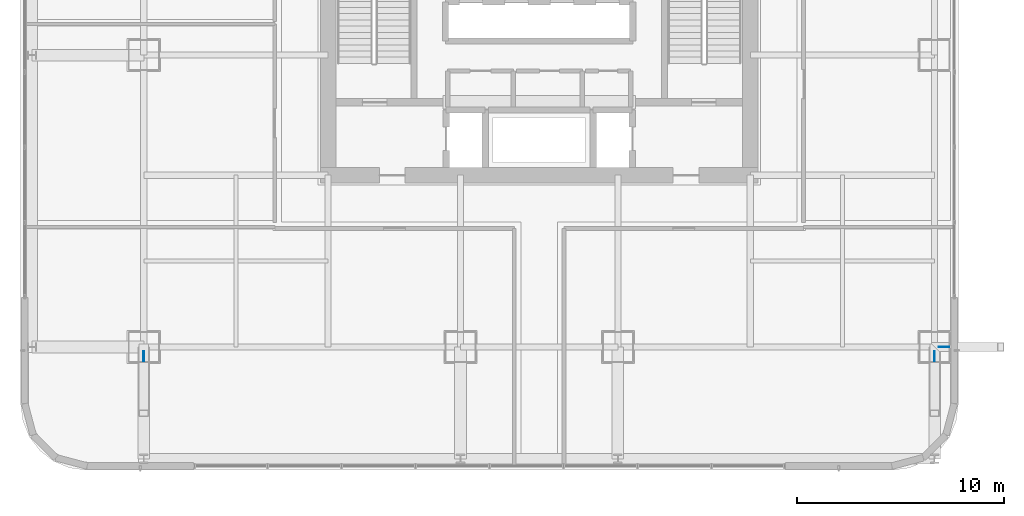
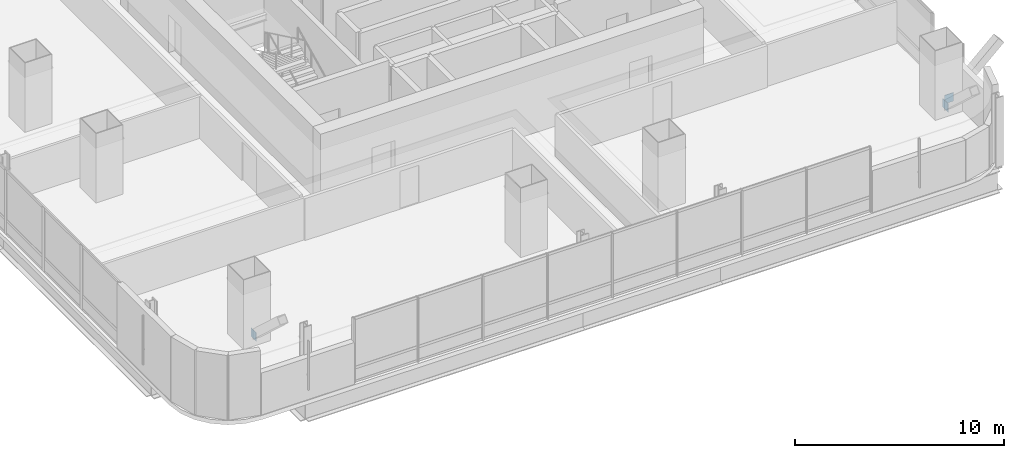
# One storey, part 27 of 45: 3 plates.
"""IFC4 building model written with IfcOpenShell, lengths in metres."""

import ifcopenshell
import ifcopenshell.guid

model = None  # the IFC model being written
_history = None  # IfcOwnerHistory: only IFC2X3 demands one
_inside = {}  # id of a spatial element -> (the spatial element, [elements in it])
_under = {}  # id of a project, library or spatial element -> (it, [spatial elements below it])
_declared = {}  # id of a project -> (the project, [libraries it declares])
_typed = {}  # id of a type object -> (the type object, [elements of that type])
_made_of = {}  # id of a material, layer set ... -> (it, [elements and type objects made of it])


def new_model(schema):
    """Start an empty IFC model of exactly this schema.

    Asked for "IFC4X3", IfcOpenShell would pick the latest addendum, in which some entities
    have other attributes; the version numbers below select the first issue.
    IFC2X3 requires an IfcOwnerHistory on every rooted entity: one is made here for all.
    """
    global model, _history
    if schema == "IFC4X3":
        model = ifcopenshell.file(schema_version=(4, 3, 0, 0))
    else:
        model = ifcopenshell.file(schema=schema)
    _inside.clear()
    _under.clear()
    _declared.clear()
    _typed.clear()
    _made_of.clear()
    _history = None
    if model.schema == "IFC2X3":
        org = make("IfcOrganization", Name="unknown")
        user = make(
            "IfcPersonAndOrganization",
            ThePerson=make("IfcPerson", FamilyName="unknown"),
            TheOrganization=org,
        )
        app = make(
            "IfcApplication",
            ApplicationDeveloper=org,
            Version="unknown",
            ApplicationFullName="unknown",
            ApplicationIdentifier="unknown",
        )
        _history = make(
            "IfcOwnerHistory",
            OwningUser=user,
            OwningApplication=app,
            ChangeAction="ADDED",
            CreationDate=0,
        )
    return model


def make(cls, **values):
    """One entity of the class cls with the attributes given. An attribute that is None is left unset."""
    return model.create_entity(
        cls, **{name: value for name, value in values.items() if value is not None}
    )


def rooted(cls, **values):
    """An entity with a GlobalId (a new one), such as an element, a storey or a relation."""
    return make(cls, GlobalId=ifcopenshell.guid.new(), OwnerHistory=_history, **values)


def si_unit(unit_type, name, prefix=None):
    """IfcSIUnit, for example si_unit("LENGTHUNIT", "METRE", prefix="MILLI")."""
    return make("IfcSIUnit", UnitType=unit_type, Prefix=prefix, Name=name)


def assignment(units):
    """IfcUnitAssignment: the units of a project."""
    return None if units is None else make("IfcUnitAssignment", Units=units)


def point(xyz):
    """IfcCartesianPoint."""
    return None if xyz is None else make("IfcCartesianPoint", Coordinates=xyz)


def direction(xyz):
    """IfcDirection."""
    return None if xyz is None else make("IfcDirection", DirectionRatios=xyz)


def frame(location, z_axis=None, x_axis=None):
    """IfcAxis2Placement3D, a coordinate frame: its origin and axes. An axis left out is left unset."""
    return make(
        "IfcAxis2Placement3D",
        Location=point(location),
        Axis=direction(z_axis),
        RefDirection=direction(x_axis),
    )


def frame_2d(location, x_axis=None):
    """IfcAxis2Placement2D, a coordinate frame in the plane: its origin and x axis."""
    return make(
        "IfcAxis2Placement2D", Location=point(location), RefDirection=direction(x_axis)
    )


def origin():
    """The frame at (0, 0, 0) with its axes left unset."""
    return frame((0.0, 0.0, 0.0))


def origin_2d():
    """The frame at (0, 0) in the plane with its x axis left unset."""
    return frame_2d((0.0, 0.0))


def place(relative_to, where):
    """IfcLocalPlacement: puts the frame where relative to a parent placement (None: the world)."""
    return make(
        "IfcLocalPlacement", PlacementRelTo=relative_to, RelativePlacement=where
    )


def context(
    kind, dimensions, precision=None, world=None, true_north=None, identifier=None
):
    """IfcGeometricRepresentationContext, for example the 3D "Model" context."""
    return make(
        "IfcGeometricRepresentationContext",
        ContextIdentifier=identifier,
        ContextType=kind,
        CoordinateSpaceDimension=dimensions,
        Precision=precision,
        WorldCoordinateSystem=world,
        TrueNorth=true_north,
    )


def subcontext(parent, identifier, kind, view, scale=None):
    """IfcGeometricRepresentationSubContext, for example "Body" below "Model"."""
    return make(
        "IfcGeometricRepresentationSubContext",
        ContextIdentifier=identifier,
        ContextType=kind,
        ParentContext=parent,
        TargetScale=scale,
        TargetView=view,
    )


def project(units=None, contexts=None):
    """IfcProject with its units and contexts."""
    return rooted(
        "IfcProject",
        Name="project",
        RepresentationContexts=contexts,
        UnitsInContext=assignment(units),
    )


def spatial(cls, under=None, at=None, **own):
    """A site, building, storey or space (cls), placed at a placement, below another one or the project."""
    s = rooted(cls, ObjectPlacement=at, **own)
    if under is not None:
        _under.setdefault(under.id(), (under, []))[1].append(s)
    return s


def profile(cls, at=None, kind="AREA", **sizes):
    """A parametric profile (cls). Its sizes go by their IFC names, for example OverallWidth=200.0."""
    return make(cls, ProfileType=kind, Position=at, **sizes)


def rectangle(**sizes):
    """IfcRectangleProfileDef."""
    return profile("IfcRectangleProfileDef", **sizes)


def extrude(swept, where, along, depth):
    """IfcExtrudedAreaSolid: the profile swept, set in the frame where, extruded along a direction by depth."""
    return make(
        "IfcExtrudedAreaSolid",
        SweptArea=swept,
        Position=where,
        ExtrudedDirection=direction(along),
        Depth=depth,
    )


def shape(context_of_items, identifier, shape_type, items):
    """IfcShapeRepresentation: the items that make up one representation, for example the "Body"."""
    return make(
        "IfcShapeRepresentation",
        ContextOfItems=context_of_items,
        RepresentationIdentifier=identifier,
        RepresentationType=shape_type,
        Items=items,
    )


def material(Name=None, Category=None):
    """IfcMaterial."""
    return make("IfcMaterial", Name=Name, Category=Category)


def layer(
    of_material, thickness, ventilated=None, Name=None, Category=None, Priority=None
):
    """IfcMaterialLayer: one layer of a wall or slab, of a material (None: an air gap)."""
    return make(
        "IfcMaterialLayer",
        Material=of_material,
        LayerThickness=thickness,
        IsVentilated=ventilated,
        Name=Name,
        Category=Category,
        Priority=Priority,
    )


def layer_set(layers, Name=None):
    """IfcMaterialLayerSet."""
    return make("IfcMaterialLayerSet", MaterialLayers=layers, LayerSetName=Name)


def made_of(thing, what):
    """Note that an element or type object is made of a material, layer set ...; save() writes the relation."""
    if what is not None:
        _made_of.setdefault(what.id(), (what, []))[1].append(thing)
    return thing


def type_object(cls, material=None, **own):
    """A type object (cls), such as IfcWallType, which elements share."""
    return made_of(rooted(cls, **own), material)


def element(
    cls,
    number,
    at=None,
    inside=None,
    cuts=None,
    type_object=None,
    material=None,
    context=None,
    identifier="Body",
    shape_type=None,
    held_by="IfcProductDefinitionShape",
    body=None,
    shapes=None,
    **own,
):
    """One element of the class cls, such as IfcWall. Its Tag is "e" and its number.

    at: its placement. inside: the storey or other place that contains it. cuts: it is an
    opening in that element (IfcRelVoidsElement). A single representation is given by context,
    identifier, shape_type and body (its items); several are given by shapes. held_by: the class
    of the entity that holds the representations. save() writes the other relations.
    """
    e = rooted(cls, Tag="e%d" % number, ObjectPlacement=at, **own)
    if body is not None:
        shapes = [shape(context, identifier, shape_type, body)]
    if shapes is not None:
        e.Representation = make(held_by, Representations=shapes)
    if inside is not None:
        _inside.setdefault(inside.id(), (inside, []))[1].append(e)
    if cuts is not None:
        rooted(
            "IfcRelVoidsElement", RelatingBuildingElement=cuts, RelatedOpeningElement=e
        )
    if type_object is not None:
        _typed.setdefault(type_object.id(), (type_object, []))[1].append(e)
    return made_of(e, material)


def aggregate(whole, parts):
    """IfcRelAggregates: a whole, such as a stair, and the parts it consists of."""
    return rooted("IfcRelAggregates", RelatingObject=whole, RelatedObjects=parts)


def save(model, path):
    """Write the relations noted so far, then the file.

    IfcRelAggregates (storeys below a building ...), IfcRelContainedInSpatialStructure (elements
    in a storey), IfcRelDefinesByType, IfcRelAssociatesMaterial and IfcRelDeclares: one each for
    every whole, place, type object, material and project.
    """
    for whole, parts in _under.values():
        aggregate(whole, parts)
    for where, things in _inside.values():
        rooted(
            "IfcRelContainedInSpatialStructure",
            RelatedElements=things,
            RelatingStructure=where,
        )
    for kind, things in _typed.values():
        rooted("IfcRelDefinesByType", RelatedObjects=things, RelatingType=kind)
    for what, things in _made_of.values():
        rooted("IfcRelAssociatesMaterial", RelatedObjects=things, RelatingMaterial=what)
    for by, libraries in _declared.values():
        rooted("IfcRelDeclares", RelatingContext=by, RelatedDefinitions=libraries)
    model.write(path)


model = new_model("IFC4")

# Units and contexts
model_context = context("Model", 3, precision=1e-05, world=origin(), true_north=direction((0.0, 1.0)))
body_context = subcontext(model_context, "Body", "Model", "MODEL_VIEW")
ifc_project = project(units=[si_unit("LENGTHUNIT", "METRE"), si_unit("AREAUNIT", "SQUARE_METRE"), si_unit("VOLUMEUNIT", "CUBIC_METRE"), si_unit("PLANEANGLEUNIT", "RADIAN"), si_unit("MASSUNIT", "GRAM", prefix="KILO")], contexts=[model_context])

# Site, building, storey
site_placement = place(None, origin())
site = spatial("IfcSite", under=ifc_project, at=site_placement, CompositionType="ELEMENT")
building_placement = place(site_placement, origin())
building = spatial("IfcBuilding", under=site, at=building_placement, Name="Punatoya Terracotta Tower", CompositionType="ELEMENT")
storey_placement = place(building_placement, frame((0.0, 0.0, 56.550048828125)))
storey = spatial("IfcBuildingStorey", under=building, at=storey_placement, Name="L12", CompositionType="ELEMENT", Elevation=56.550048828125)

# Plates
ifc_material = material(Name="Steel S460", Category="steel")
ifc_layer = layer(ifc_material, 0.031982421875)
ifc_layer_set = layer_set([ifc_layer], Name="Steel S460")
plate_type = type_object("IfcPlateType", Name="PLT-END-32", PredefinedType="USERDEFINED", material=ifc_layer_set)
for number, where, z_axis, x_axis, name in (
    (1, (19.548095703125, -17.5, 0.182861328125), (0.0, 0.0, 1.0), (1.0, 0.0, 0.0), "L13 Knee-Strut Base Gusset Plate E1"),
    (2, (-19.10009765625, -17.947998046875, 0.182861328125), (0.0, 0.0, 1.0), (0.0, 1.0, 0.0), "L13 Knee-Strut Base Gusset Plate S1"),
    (3, (19.10009765625, -17.947998046875, 0.182861328125), (0.0, 0.0, 1.0), (0.0, 1.0, 0.0), "L13 Knee-Strut Base Gusset Plate S2"),
):
    element("IfcPlate", number, at=place(storey_placement, frame(where, z_axis=z_axis, x_axis=x_axis)), inside=storey, type_object=plate_type, Name=name, ObjectType="FLANGE_PLATE", PredefinedType="USERDEFINED", context=body_context, shape_type="SweptSolid", body=[
        extrude(rectangle(XDim=0.5, YDim=0.031982421875, at=origin_2d()), origin(), (0.0, 0.0, 1.0), 0.5),
    ])

save(model, "model.ifc")
